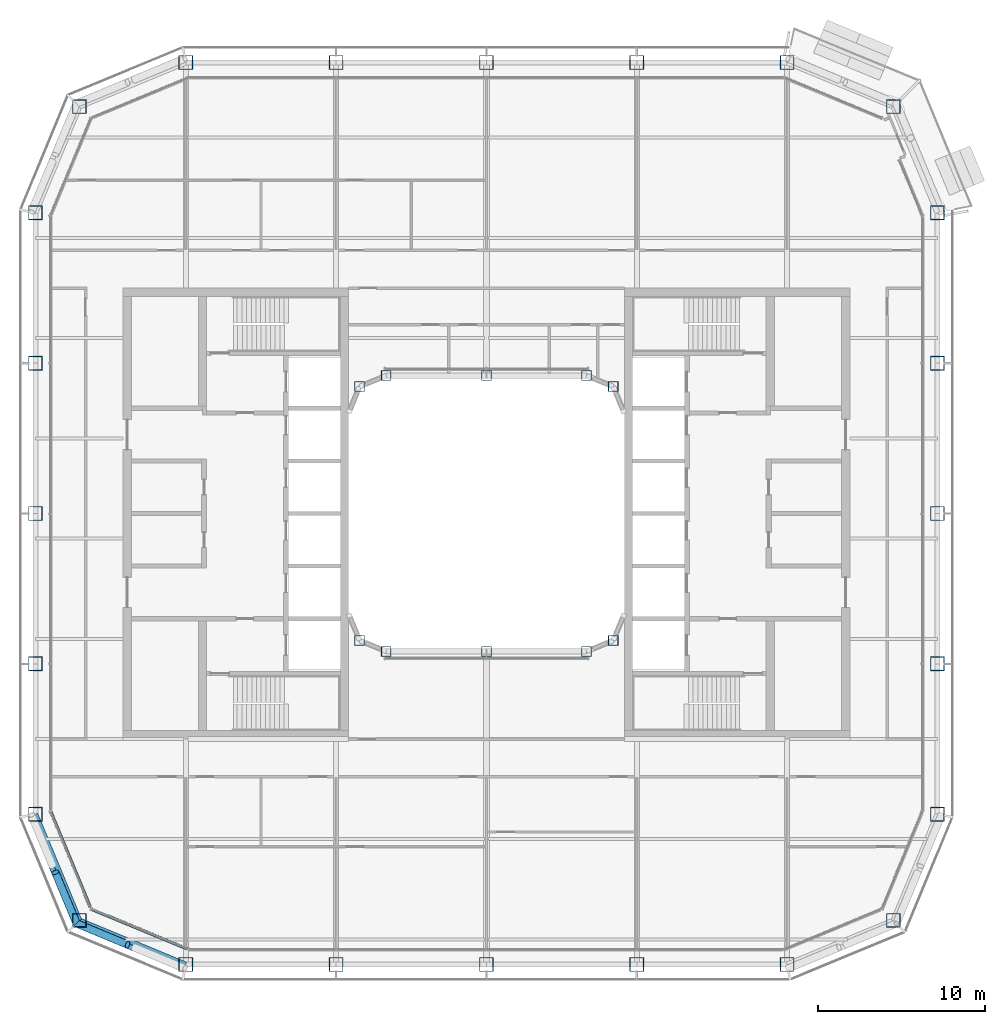
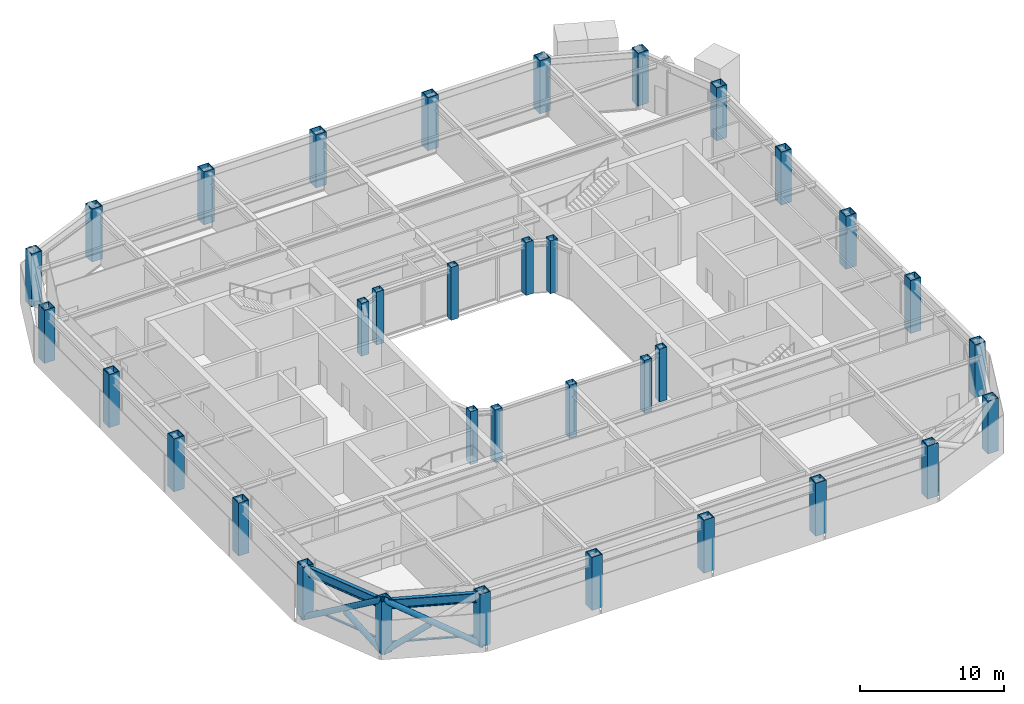
# One storey, part 1 of 23: 34 columns, 6 members, 2 beams, 2 elements without a shape of their own.
"""IFC4 building model written with IfcOpenShell, lengths in metres."""

import ifcopenshell
import ifcopenshell.guid

model = None  # the IFC model being written
_history = None  # IfcOwnerHistory: only IFC2X3 demands one
_inside = {}  # id of a spatial element -> (the spatial element, [elements in it])
_under = {}  # id of a project, library or spatial element -> (it, [spatial elements below it])
_declared = {}  # id of a project -> (the project, [libraries it declares])
_typed = {}  # id of a type object -> (the type object, [elements of that type])
_made_of = {}  # id of a material, layer set ... -> (it, [elements and type objects made of it])


def new_model(schema):
    """Start an empty IFC model of exactly this schema.

    Asked for "IFC4X3", IfcOpenShell would pick the latest addendum, in which some entities
    have other attributes; the version numbers below select the first issue.
    IFC2X3 requires an IfcOwnerHistory on every rooted entity: one is made here for all.
    """
    global model, _history
    if schema == "IFC4X3":
        model = ifcopenshell.file(schema_version=(4, 3, 0, 0))
    else:
        model = ifcopenshell.file(schema=schema)
    _inside.clear()
    _under.clear()
    _declared.clear()
    _typed.clear()
    _made_of.clear()
    _history = None
    if model.schema == "IFC2X3":
        org = make("IfcOrganization", Name="unknown")
        user = make(
            "IfcPersonAndOrganization",
            ThePerson=make("IfcPerson", FamilyName="unknown"),
            TheOrganization=org,
        )
        app = make(
            "IfcApplication",
            ApplicationDeveloper=org,
            Version="unknown",
            ApplicationFullName="unknown",
            ApplicationIdentifier="unknown",
        )
        _history = make(
            "IfcOwnerHistory",
            OwningUser=user,
            OwningApplication=app,
            ChangeAction="ADDED",
            CreationDate=0,
        )
    return model


def make(cls, **values):
    """One entity of the class cls with the attributes given. An attribute that is None is left unset."""
    return model.create_entity(
        cls, **{name: value for name, value in values.items() if value is not None}
    )


def rooted(cls, **values):
    """An entity with a GlobalId (a new one), such as an element, a storey or a relation."""
    return make(cls, GlobalId=ifcopenshell.guid.new(), OwnerHistory=_history, **values)


def si_unit(unit_type, name, prefix=None):
    """IfcSIUnit, for example si_unit("LENGTHUNIT", "METRE", prefix="MILLI")."""
    return make("IfcSIUnit", UnitType=unit_type, Prefix=prefix, Name=name)


def assignment(units):
    """IfcUnitAssignment: the units of a project."""
    return None if units is None else make("IfcUnitAssignment", Units=units)


def point(xyz):
    """IfcCartesianPoint."""
    return None if xyz is None else make("IfcCartesianPoint", Coordinates=xyz)


def direction(xyz):
    """IfcDirection."""
    return None if xyz is None else make("IfcDirection", DirectionRatios=xyz)


def frame(location, z_axis=None, x_axis=None):
    """IfcAxis2Placement3D, a coordinate frame: its origin and axes. An axis left out is left unset."""
    return make(
        "IfcAxis2Placement3D",
        Location=point(location),
        Axis=direction(z_axis),
        RefDirection=direction(x_axis),
    )


def frame_2d(location, x_axis=None):
    """IfcAxis2Placement2D, a coordinate frame in the plane: its origin and x axis."""
    return make(
        "IfcAxis2Placement2D", Location=point(location), RefDirection=direction(x_axis)
    )


def origin():
    """The frame at (0, 0, 0) with its axes left unset."""
    return frame((0.0, 0.0, 0.0))


def origin_2d():
    """The frame at (0, 0) in the plane with its x axis left unset."""
    return frame_2d((0.0, 0.0))


def place(relative_to, where):
    """IfcLocalPlacement: puts the frame where relative to a parent placement (None: the world)."""
    return make(
        "IfcLocalPlacement", PlacementRelTo=relative_to, RelativePlacement=where
    )


def context(
    kind, dimensions, precision=None, world=None, true_north=None, identifier=None
):
    """IfcGeometricRepresentationContext, for example the 3D "Model" context."""
    return make(
        "IfcGeometricRepresentationContext",
        ContextIdentifier=identifier,
        ContextType=kind,
        CoordinateSpaceDimension=dimensions,
        Precision=precision,
        WorldCoordinateSystem=world,
        TrueNorth=true_north,
    )


def subcontext(parent, identifier, kind, view, scale=None):
    """IfcGeometricRepresentationSubContext, for example "Body" below "Model"."""
    return make(
        "IfcGeometricRepresentationSubContext",
        ContextIdentifier=identifier,
        ContextType=kind,
        ParentContext=parent,
        TargetScale=scale,
        TargetView=view,
    )


def project(units=None, contexts=None):
    """IfcProject with its units and contexts."""
    return rooted(
        "IfcProject",
        Name="project",
        RepresentationContexts=contexts,
        UnitsInContext=assignment(units),
    )


def spatial(cls, under=None, at=None, **own):
    """A site, building, storey or space (cls), placed at a placement, below another one or the project."""
    s = rooted(cls, ObjectPlacement=at, **own)
    if under is not None:
        _under.setdefault(under.id(), (under, []))[1].append(s)
    return s


def profile(cls, at=None, kind="AREA", **sizes):
    """A parametric profile (cls). Its sizes go by their IFC names, for example OverallWidth=200.0."""
    return make(cls, ProfileType=kind, Position=at, **sizes)


def rectangle(**sizes):
    """IfcRectangleProfileDef."""
    return profile("IfcRectangleProfileDef", **sizes)


def hollow_rectangle(**sizes):
    """IfcRectangleHollowProfileDef."""
    return profile("IfcRectangleHollowProfileDef", **sizes)


def hollow_circle(**sizes):
    """IfcCircleHollowProfileDef."""
    return profile("IfcCircleHollowProfileDef", **sizes)


def i_section(**sizes):
    """IfcIShapeProfileDef."""
    return profile("IfcIShapeProfileDef", **sizes)


def extrude(swept, where, along, depth):
    """IfcExtrudedAreaSolid: the profile swept, set in the frame where, extruded along a direction by depth."""
    return make(
        "IfcExtrudedAreaSolid",
        SweptArea=swept,
        Position=where,
        ExtrudedDirection=direction(along),
        Depth=depth,
    )


def shape(context_of_items, identifier, shape_type, items):
    """IfcShapeRepresentation: the items that make up one representation, for example the "Body"."""
    return make(
        "IfcShapeRepresentation",
        ContextOfItems=context_of_items,
        RepresentationIdentifier=identifier,
        RepresentationType=shape_type,
        Items=items,
    )


def material(Name=None, Category=None):
    """IfcMaterial."""
    return make("IfcMaterial", Name=Name, Category=Category)


def layer(
    of_material, thickness, ventilated=None, Name=None, Category=None, Priority=None
):
    """IfcMaterialLayer: one layer of a wall or slab, of a material (None: an air gap)."""
    return make(
        "IfcMaterialLayer",
        Material=of_material,
        LayerThickness=thickness,
        IsVentilated=ventilated,
        Name=Name,
        Category=Category,
        Priority=Priority,
    )


def layer_set(layers, Name=None):
    """IfcMaterialLayerSet."""
    return make("IfcMaterialLayerSet", MaterialLayers=layers, LayerSetName=Name)


def material_profile(
    of_material, cross_section, Name=None, Category=None, Priority=None
):
    """IfcMaterialProfile: a cross section and its material."""
    return make(
        "IfcMaterialProfile",
        Name=Name,
        Material=of_material,
        Profile=cross_section,
        Priority=Priority,
        Category=Category,
    )


def profile_set(profiles, Name=None, composite=None):
    """IfcMaterialProfileSet."""
    return make(
        "IfcMaterialProfileSet",
        Name=Name,
        MaterialProfiles=profiles,
        CompositeProfile=composite,
    )


def made_of(thing, what):
    """Note that an element or type object is made of a material, layer set ...; save() writes the relation."""
    if what is not None:
        _made_of.setdefault(what.id(), (what, []))[1].append(thing)
    return thing


def type_object(cls, material=None, **own):
    """A type object (cls), such as IfcWallType, which elements share."""
    return made_of(rooted(cls, **own), material)


def element(
    cls,
    number,
    at=None,
    inside=None,
    cuts=None,
    type_object=None,
    material=None,
    context=None,
    identifier="Body",
    shape_type=None,
    held_by="IfcProductDefinitionShape",
    body=None,
    shapes=None,
    **own,
):
    """One element of the class cls, such as IfcWall. Its Tag is "e" and its number.

    at: its placement. inside: the storey or other place that contains it. cuts: it is an
    opening in that element (IfcRelVoidsElement). A single representation is given by context,
    identifier, shape_type and body (its items); several are given by shapes. held_by: the class
    of the entity that holds the representations. save() writes the other relations.
    """
    e = rooted(cls, Tag="e%d" % number, ObjectPlacement=at, **own)
    if body is not None:
        shapes = [shape(context, identifier, shape_type, body)]
    if shapes is not None:
        e.Representation = make(held_by, Representations=shapes)
    if inside is not None:
        _inside.setdefault(inside.id(), (inside, []))[1].append(e)
    if cuts is not None:
        rooted(
            "IfcRelVoidsElement", RelatingBuildingElement=cuts, RelatedOpeningElement=e
        )
    if type_object is not None:
        _typed.setdefault(type_object.id(), (type_object, []))[1].append(e)
    return made_of(e, material)


def aggregate(whole, parts):
    """IfcRelAggregates: a whole, such as a stair, and the parts it consists of."""
    return rooted("IfcRelAggregates", RelatingObject=whole, RelatedObjects=parts)


def save(model, path):
    """Write the relations noted so far, then the file.

    IfcRelAggregates (storeys below a building ...), IfcRelContainedInSpatialStructure (elements
    in a storey), IfcRelDefinesByType, IfcRelAssociatesMaterial and IfcRelDeclares: one each for
    every whole, place, type object, material and project.
    """
    for whole, parts in _under.values():
        aggregate(whole, parts)
    for where, things in _inside.values():
        rooted(
            "IfcRelContainedInSpatialStructure",
            RelatedElements=things,
            RelatingStructure=where,
        )
    for kind, things in _typed.values():
        rooted("IfcRelDefinesByType", RelatedObjects=things, RelatingType=kind)
    for what, things in _made_of.values():
        rooted("IfcRelAssociatesMaterial", RelatedObjects=things, RelatingMaterial=what)
    for by, libraries in _declared.values():
        rooted("IfcRelDeclares", RelatingContext=by, RelatedDefinitions=libraries)
    model.write(path)


model = new_model("IFC4")

# Units and contexts
model_context = context("Model", 3, precision=1e-05, world=origin(), true_north=direction((0.0, 1.0)))
body_context = subcontext(model_context, "Body", "Model", "MODEL_VIEW")
ifc_project = project(units=[si_unit("LENGTHUNIT", "METRE"), si_unit("AREAUNIT", "SQUARE_METRE"), si_unit("VOLUMEUNIT", "CUBIC_METRE"), si_unit("PLANEANGLEUNIT", "RADIAN"), si_unit("MASSUNIT", "GRAM", prefix="KILO")], contexts=[model_context])

# Site, building, storey
site_placement = place(None, origin())
site = spatial("IfcSite", under=ifc_project, at=site_placement, CompositionType="ELEMENT")
building_placement = place(site_placement, origin())
building = spatial("IfcBuilding", under=site, at=building_placement, Name="Siwar Civic Tower", CompositionType="ELEMENT")
storey_placement = place(building_placement, frame((0.0, 0.0, 224.199951171875)))
storey = spatial("IfcBuildingStorey", under=building, at=storey_placement, Name="L48", CompositionType="ELEMENT", Elevation=224.199951171875)

# Columns
ifc_material_1 = material(Name="Steel S355", Category="steel")
ifc_material_profile_1 = material_profile(ifc_material_1, hollow_rectangle(XDim=0.85009765625, YDim=0.85009765625, WallThickness=0.050048828125, at=origin_2d()), Name="BOX850x850x50")
ifc_profile_set_1 = profile_set([ifc_material_profile_1], Name="Steel S355")
column_type_1 = type_object("IfcColumnType", Name="STR-COL-BOX850x850x50", PredefinedType="COLUMN", material=ifc_profile_set_1)
for number, where, z_axis, x_axis, name in (
    (1, (-18.0, -27.0, 0.0), (0.0, 0.0, 1.0), (1.0, 0.0, 0.0), "L48/col/S-0"),
    (2, (-9.0, -27.0, 0.0), (0.0, 0.0, 1.0), (1.0, 0.0, 0.0), "L48/col/S-1"),
    (3, (0.0, -27.0, 0.0), (0.0, 0.0, 1.0), (1.0, 0.0, 0.0), "L48/col/S-2"),
    (4, (9.0, -27.0, 0.0), (0.0, 0.0, 1.0), (1.0, 0.0, 0.0), "L48/col/S-3"),
    (5, (18.0, -27.0, 0.0), (0.0, 0.0, 1.0), (1.0, 0.0, 0.0), "L48/col/SE1-0"),
    (6, (24.364013671875, -24.364013671875, 0.0), (0.0, 0.0, 1.0), (1.0, 0.0, 0.0), "L48/col/SE2-0"),
    (7, (27.0, -18.0, 0.0), (0.0, 0.0, 1.0), (1.0, 0.0, 0.0), "L48/col/E-0"),
    (8, (27.0, -9.0, 0.0), (0.0, 0.0, 1.0), (1.0, 0.0, 0.0), "L48/col/E-1"),
    (9, (27.0, 0.0, 0.0), (0.0, 0.0, 1.0), (1.0, 0.0, 0.0), "L48/col/E-2"),
    (10, (27.0, 9.0, 0.0), (0.0, 0.0, 1.0), (1.0, 0.0, 0.0), "L48/col/E-3"),
    (11, (27.0, 18.0, 0.0), (0.0, 0.0, 1.0), (1.0, 0.0, 0.0), "L48/col/NE1-0"),
    (12, (24.364013671875, 24.364013671875, 0.0), (0.0, 0.0, 1.0), (1.0, 0.0, 0.0), "L48/col/NE2-0"),
    (13, (18.0, 27.0, 0.0), (0.0, 0.0, 1.0), (1.0, 0.0, 0.0), "L48/col/N-0"),
    (14, (9.0, 27.0, 0.0), (0.0, 0.0, 1.0), (1.0, 0.0, 0.0), "L48/col/N-1"),
    (15, (0.0, 27.0, 0.0), (0.0, 0.0, 1.0), (1.0, 0.0, 0.0), "L48/col/N-2"),
    (16, (-9.0, 27.0, 0.0), (0.0, 0.0, 1.0), (1.0, 0.0, 0.0), "L48/col/N-3"),
    (17, (-18.0, 27.0, 0.0), (0.0, 0.0, 1.0), (1.0, 0.0, 0.0), "L48/col/NW1-0"),
    (18, (-24.364013671875, 24.364013671875, 0.0), (0.0, 0.0, 1.0), (1.0, 0.0, 0.0), "L48/col/NW2-0"),
    (19, (-27.0, 18.0, 0.0), (0.0, 0.0, 1.0), (1.0, 0.0, 0.0), "L48/col/W-0"),
    (20, (-27.0, 9.0, 0.0), (0.0, 0.0, 1.0), (1.0, 0.0, 0.0), "L48/col/W-1"),
    (21, (-27.0, 0.0, 0.0), (0.0, 0.0, 1.0), (1.0, 0.0, 0.0), "L48/col/W-2"),
    (22, (-27.0, -9.0, 0.0), (0.0, 0.0, 1.0), (1.0, 0.0, 0.0), "L48/col/W-3"),
    (23, (-27.0, -18.0, 0.0), (0.0, 0.0, 1.0), (1.0, 0.0, 0.0), "L48/col/SW1-0"),
    (24, (-24.364013671875, -24.364013671875, 0.0), (0.0, 0.0, 1.0), (1.0, 0.0, 0.0), "L48/col/SW2-0"),
):
    element("IfcColumn", number, at=place(storey_placement, frame(where, z_axis=z_axis, x_axis=x_axis)), inside=storey, type_object=column_type_1, Name=name, PredefinedType="COLUMN", context=body_context, shape_type="SweptSolid", body=[
        extrude(hollow_rectangle(XDim=0.85009765625, YDim=0.85009765625, WallThickness=0.050048828125, at=origin_2d()), origin(), (0.0, 0.0, 1.0), 4.5),
    ])
ifc_material_2 = material(Name="Steel S355", Category="steel")
ifc_material_profile_2 = material_profile(ifc_material_2, hollow_rectangle(XDim=0.60009765625, YDim=0.60009765625, WallThickness=0.031982421875, at=origin_2d()), Name="BOX600x600x32")
ifc_profile_set_2 = profile_set([ifc_material_profile_2], Name="Steel S355")
column_type_2 = type_object("IfcColumnType", Name="STR-ICOL-BOX600x600x32", PredefinedType="COLUMN", material=ifc_profile_set_2)
for number, where, z_axis, x_axis, name in (
    (25, (-7.591064453125, -7.591064453125, 0.0), (0.0, 0.0, 1.0), (1.0, 0.0, 0.0), "L48/col/IS-0"),
    (26, (-6.0, -8.25, 0.0), (0.0, 0.0, 1.0), (1.0, 0.0, 0.0), "L48/col/IS-1"),
    (27, (0.0, -8.25, 0.0), (0.0, 0.0, 1.0), (1.0, 0.0, 0.0), "L48/col/IS-2"),
    (28, (6.0, -8.25, 0.0), (0.0, 0.0, 1.0), (1.0, 0.0, 0.0), "L48/col/IS-3"),
    (29, (7.591064453125, -7.591064453125, 0.0), (0.0, 0.0, 1.0), (1.0, 0.0, 0.0), "L48/col/IS-4"),
    (30, (-7.591064453125, 7.591064453125, 0.0), (0.0, 0.0, 1.0), (1.0, 0.0, 0.0), "L48/col/IN-0"),
    (31, (-6.0, 8.25, 0.0), (0.0, 0.0, 1.0), (1.0, 0.0, 0.0), "L48/col/IN-1"),
    (32, (0.0, 8.25, 0.0), (0.0, 0.0, 1.0), (1.0, 0.0, 0.0), "L48/col/IN-2"),
    (33, (6.0, 8.25, 0.0), (0.0, 0.0, 1.0), (1.0, 0.0, 0.0), "L48/col/IN-3"),
    (34, (7.591064453125, 7.591064453125, 0.0), (0.0, 0.0, 1.0), (1.0, 0.0, 0.0), "L48/col/IN-4"),
):
    element("IfcColumn", number, at=place(storey_placement, frame(where, z_axis=z_axis, x_axis=x_axis)), inside=storey, type_object=column_type_2, Name=name, PredefinedType="COLUMN", context=body_context, shape_type="SweptSolid", body=[
        extrude(hollow_rectangle(XDim=0.60009765625, YDim=0.60009765625, WallThickness=0.031982421875, at=origin_2d()), origin(), (0.0, 0.0, 1.0), 4.5),
    ])

# Curtain wall, member
ifc_material_3 = material(Name="Aluminium clad insulated panel", Category="aluminium")
ifc_layer = layer(ifc_material_3, 0.179931640625)
ifc_layer_set = layer_set([ifc_layer], Name="Aluminium clad insulated panel")
curtain_wall_type = type_object("IfcCurtainWallType", Name="ENV-CW-CX", PredefinedType="NOTDEFINED", material=ifc_layer_set)
curtain_wall_1_placement = place(storey_placement, origin())
curtain_wall_1 = element("IfcCurtainWall", 35, at=curtain_wall_1_placement, inside=storey, type_object=curtain_wall_type, Name="Curtain wall C SW1", PredefinedType="NOTDEFINED")
ifc_material_4 = material(Name="Aluminium 6063-T6", Category="aluminium")
ifc_material_profile_3 = material_profile(ifc_material_4, rectangle(XDim=0.179931640625, YDim=0.10009765625, at=origin_2d()), Name="AL 180x100")
ifc_profile_set_3 = profile_set([ifc_material_profile_3], Name="Aluminium 6063-T6")
member_type_1 = type_object("IfcMemberType", Name="ENV-TRANSOM-C", PredefinedType="USERDEFINED", material=ifc_profile_set_3)
member_1_placement = place(storey_placement, frame((-26.088623046875, -17.8486328125, 0.050048828125), z_axis=(0.38267744817, -0.923882011223, 0.0), x_axis=(0.923882011223, 0.38267744817, 0.0)))
member_1 = element("IfcMember", 36, at=member_1_placement, type_object=member_type_1, Name="Transom C SW1 1", ObjectType="TRANSOM", PredefinedType="USERDEFINED", context=body_context, shape_type="SweptSolid", body=[
    extrude(rectangle(XDim=0.179931640625, YDim=0.10009765625, at=origin_2d()), origin(), (0.0, 0.0, 1.0), 6.201904296875),
])
aggregate(curtain_wall_1, [member_1])

curtain_wall_2_placement = place(storey_placement, origin())
curtain_wall_2 = element("IfcCurtainWall", 37, at=curtain_wall_2_placement, inside=storey, type_object=curtain_wall_type, Name="Curtain wall C SW2", PredefinedType="NOTDEFINED")
member_2_placement = place(storey_placement, frame((-23.6474609375, -23.6865234375, 0.050048828125), z_axis=(0.923876246063, -0.382691366456, 0.0), x_axis=(0.382691366456, 0.923876246063, 0.0)))
member_2 = element("IfcMember", 38, at=member_2_placement, type_object=member_type_1, Name="Transom C SW2 1", ObjectType="TRANSOM", PredefinedType="USERDEFINED", context=body_context, shape_type="SweptSolid", body=[
    extrude(rectangle(XDim=0.179931640625, YDim=0.10009765625, at=origin_2d()), origin(), (0.0, 0.0, 1.0), 6.20166015625),
])
aggregate(curtain_wall_2, [member_2])

# Members
ifc_material_5 = material(Name="Steel S355", Category="steel")
ifc_material_profile_4 = material_profile(ifc_material_5, hollow_circle(Radius=0.228515625, WallThickness=0.02001953125, at=origin_2d()), Name="CHS457x20")
ifc_profile_set_4 = profile_set([ifc_material_profile_4], Name="Steel S355")
member_type_2 = type_object("IfcMemberType", Name="STR-BR-CHS457x20", PredefinedType="BRACE", material=ifc_profile_set_4)
member_3_placement = place(storey_placement, frame((-18.048828125, -27.2451171875, 0.0), z_axis=(-0.777554562952, 0.323905527954, 0.538975055633), x_axis=(-0.384538969033, -0.923108759191, 0.0)))
element("IfcMember", 39, at=member_3_placement, inside=storey, type_object=member_type_2, Name="L48/brc/CSW1-8-0-1", PredefinedType="BRACE", context=body_context, shape_type="SweptSolid", body=[
    extrude(hollow_circle(Radius=0.228515625, WallThickness=0.02001953125, at=origin_2d()), origin(), (0.0, 0.0, 1.0), 8.34912109375),
])
member_4_placement = place(storey_placement, frame((-24.540771484375, -24.540771484375, 0.0), z_axis=(0.777546448489, -0.323884455881, 0.538999424564), x_axis=(0.38452107079, 0.92311621485, 0.0)))
element("IfcMember", 40, at=member_4_placement, inside=storey, type_object=member_type_2, Name="L48/brc/CSW1-8-0-2", PredefinedType="BRACE", context=body_context, shape_type="SweptSolid", body=[
    extrude(hollow_circle(Radius=0.228515625, WallThickness=0.02001953125, at=origin_2d()), origin(), (0.0, 0.0, 1.0), 3.927978515625),
])
member_5_placement = place(storey_placement, frame((-27.2451171875, -18.048828125, 0.0), z_axis=(0.323905527954, -0.777554562952, 0.538975055633), x_axis=(0.923108759191, 0.384538969033, 0.0)))
element("IfcMember", 41, at=member_5_placement, inside=storey, type_object=member_type_2, Name="L48/brc/CSW1-8-0-0", PredefinedType="BRACE", context=body_context, shape_type="SweptSolid", body=[
    extrude(hollow_circle(Radius=0.228515625, WallThickness=0.02001953125, at=origin_2d()), origin(), (0.0, 0.0, 1.0), 8.34912109375),
])
member_6_placement = place(storey_placement, frame((-24.540771484375, -24.540771484375, 0.0), z_axis=(-0.323884455881, 0.777546448489, 0.538999424564), x_axis=(-0.92311621485, -0.38452107079, 0.0)))
element("IfcMember", 42, at=member_6_placement, inside=storey, type_object=member_type_2, Name="L48/brc/CSW1-8-0-4", PredefinedType="BRACE", context=body_context, shape_type="SweptSolid", body=[
    extrude(hollow_circle(Radius=0.228515625, WallThickness=0.02001953125, at=origin_2d()), origin(), (0.0, 0.0, 1.0), 3.927978515625),
])

# Beams
ifc_material_6 = material(Name="Steel S355", Category="steel")
ifc_material_profile_5 = material_profile(ifc_material_6, i_section(OverallWidth=0.300048828125, OverallDepth=0.800048828125, WebThickness=0.017578125, FlangeThickness=0.032958984375, FilletRadius=0.030029296875, at=origin_2d()), Name="HEB800")
ifc_profile_set_5 = profile_set([ifc_material_profile_5], Name="Steel S355")
beam_type = type_object("IfcBeamType", Name="STR-SB-HEB800", PredefinedType="BEAM", material=ifc_profile_set_5)
for number, where, z_axis, x_axis, name in (
    (43, (-27.0, -18.0, 3.949951171875), (0.382674207535, -0.923883353507, 0.0), (0.923883353507, 0.382674207535, 0.0), "L48/bm/SSW1-0"),
    (44, (-24.364013671875, -24.364013671875, 3.949951171875), (0.923883353507, -0.382674207535, 0.0), (0.382674207535, 0.923883353507, 0.0), "L48/bm/SSW2-0"),
):
    element("IfcBeam", number, at=place(storey_placement, frame(where, z_axis=z_axis, x_axis=x_axis)), inside=storey, type_object=beam_type, Name=name, PredefinedType="BEAM", context=body_context, shape_type="SweptSolid", body=[
        extrude(i_section(OverallWidth=0.300048828125, OverallDepth=0.800048828125, WebThickness=0.017578125, FlangeThickness=0.032958984375, FilletRadius=0.030029296875, at=origin_2d()), origin(), (0.0, 0.0, 1.0), 6.888427734375),
    ])

save(model, "model.ifc")
